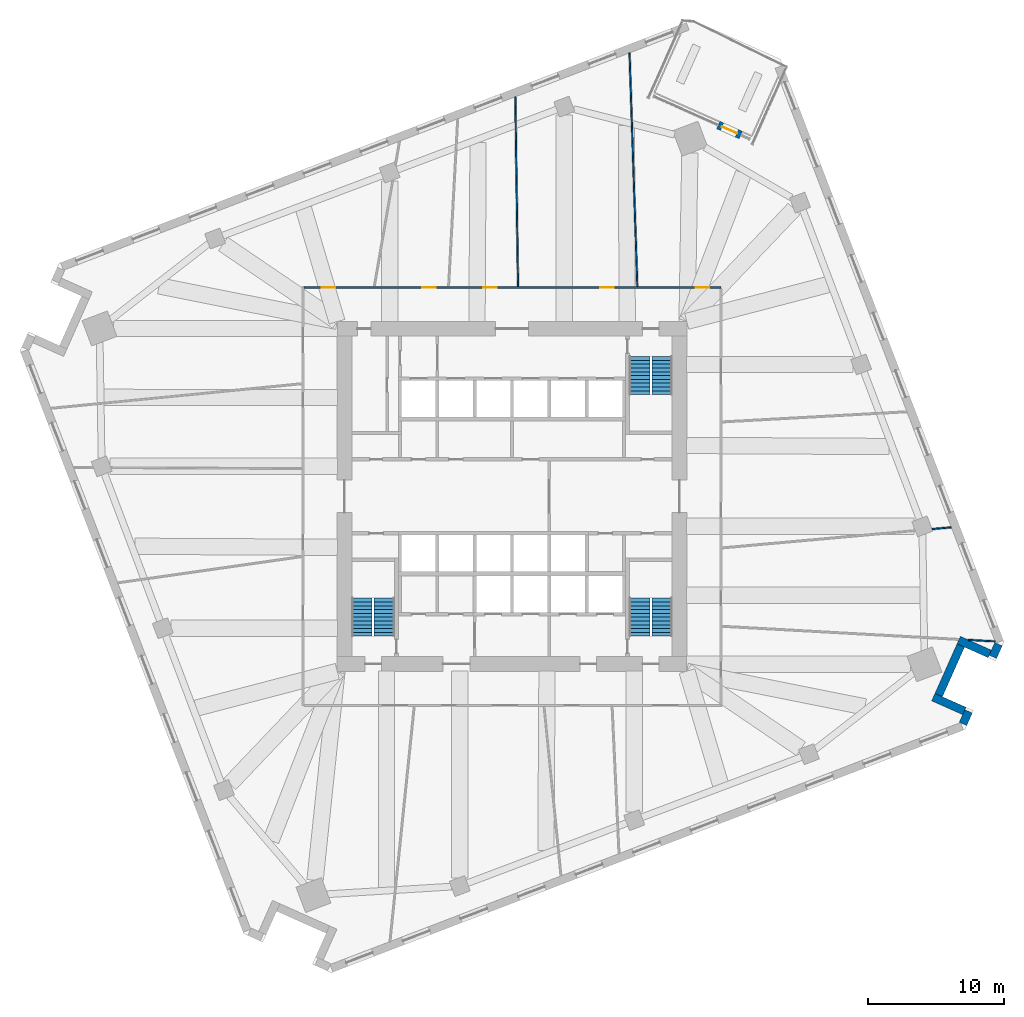
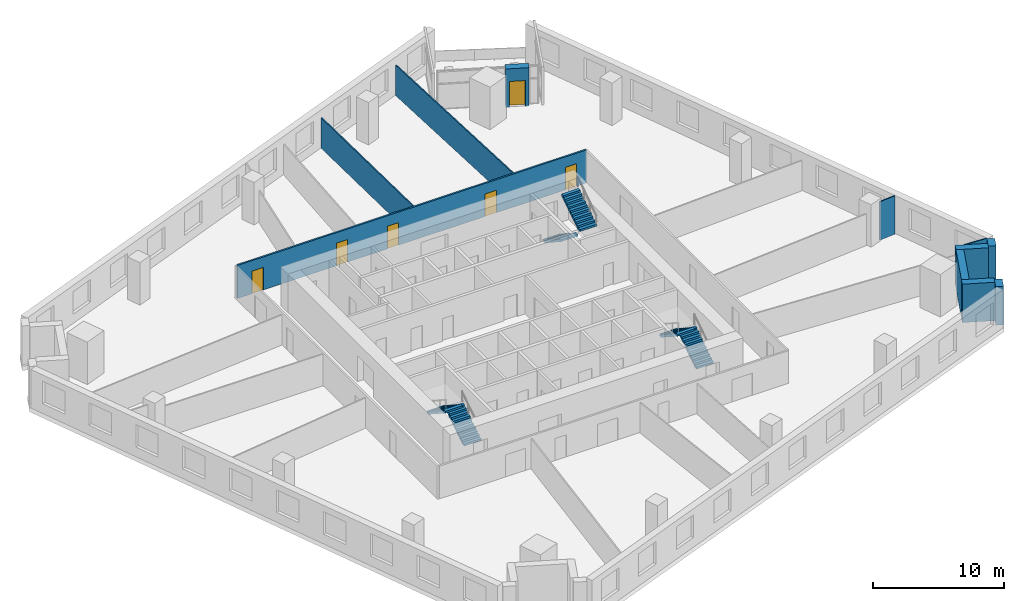
# One storey, part 12 of 14: 11 walls, 6 doors, 6 stair flights, 6 openings, 3 elements without a shape of their own.
"""IFC4 building model written with IfcOpenShell, lengths in metres."""

from ifc_helpers import new_model, si_unit, direction, frame, frame_2d, origin, place, context, subcontext, project, spatial, polyline, rectangle, outline, extrude, material, layer, layer_set, type_object, element, fill, aggregate, save


model = new_model("IFC4")

# Units and contexts
model_context = context("Model", 3, precision=1e-05, world=origin(), true_north=direction((0.0, 1.0)))
body_context = subcontext(model_context, "Body", "Model", "MODEL_VIEW")
ifc_project = project(units=[si_unit("LENGTHUNIT", "METRE"), si_unit("AREAUNIT", "SQUARE_METRE"), si_unit("VOLUMEUNIT", "CUBIC_METRE"), si_unit("PLANEANGLEUNIT", "RADIAN"), si_unit("MASSUNIT", "GRAM", prefix="KILO")], contexts=[model_context])

# Site, building, storey
site_placement = place(None, origin())
site = spatial("IfcSite", under=ifc_project, at=site_placement, CompositionType="ELEMENT")
building_placement = place(site_placement, origin())
building = spatial("IfcBuilding", under=site, at=building_placement, Name="Dilmun Exchange Tower", CompositionType="ELEMENT")
storey_placement = place(building_placement, frame((0.0, 0.0, 102.10009765625)))
storey = spatial("IfcBuildingStorey", under=building, at=storey_placement, Name="L23", CompositionType="ELEMENT", Elevation=102.10009765625)

# Wall, openings, doors
ifc_material_1 = material(Name="Corridor wall 150")
ifc_layer_1 = layer(ifc_material_1, 0.14990234375)
ifc_layer_set_1 = layer_set([ifc_layer_1], Name="Corridor wall 150")
wall_type_1 = type_object("IfcWallType", Name="Corridor wall 150", PredefinedType="PARTITIONING", material=ifc_layer_set_1)
wall_1_placement = place(storey_placement, frame((-15.324951171875, 15.39990234375, 0.0), z_axis=(0.0, 0.0, 1.0), x_axis=(1.0, 0.0, 0.0)))
wall_1 = element("IfcWall", 1, at=wall_1_placement, inside=storey, type_object=wall_type_1, Name="Corridor wall", PredefinedType="PARTITIONING", context=body_context, shape_type="SweptSolid", body=[
    extrude(rectangle(XDim=30.724853515625, YDim=0.14990234375, at=frame_2d((15.3623046875, 0.0))), origin(), (0.0, 0.0, 1.0), 3.079833984375),
])
opening_1_placement = place(wall_1_placement, frame((1.300048828125, 0.0, 0.0)))
opening_1 = element("IfcOpeningElement", 2, at=opening_1_placement, cuts=wall_1, Name="Opening TF23-D04", PredefinedType="OPENING", context=body_context, shape_type="SweptSolid", body=[
    extrude(rectangle(XDim=1.0, YDim=2.10009765625, at=frame_2d((0.5, 1.050048828125))), frame((0.0, 0.0849609375, 0.0), z_axis=(0.0, -1.0, 0.0), x_axis=(1.0, 0.0, 0.0)), (0.0, 0.0, 1.0), 0.169921875),
])
opening_2_placement = place(wall_1_placement, frame((8.717041015625, 0.0, 0.0)))
opening_2 = element("IfcOpeningElement", 3, at=opening_2_placement, cuts=wall_1, Name="Opening TF23-D07", PredefinedType="OPENING", context=body_context, shape_type="SweptSolid", body=[
    extrude(rectangle(XDim=1.0, YDim=2.10009765625, at=frame_2d((0.5, 1.050048828125))), frame((0.0, 0.0849609375, 0.0), z_axis=(0.0, -1.0, 0.0), x_axis=(1.0, 0.0, 0.0)), (0.0, 0.0, 1.0), 0.169921875),
])
opening_3_placement = place(wall_1_placement, frame((13.198486328125, 0.0, 0.0)))
opening_3 = element("IfcOpeningElement", 4, at=opening_3_placement, cuts=wall_1, Name="Opening TF23-D10", PredefinedType="OPENING", context=body_context, shape_type="SweptSolid", body=[
    extrude(rectangle(XDim=1.0, YDim=2.10009765625, at=frame_2d((0.5, 1.050048828125))), frame((0.0, 0.0849609375, 0.0), z_axis=(0.0, -1.0, 0.0), x_axis=(1.0, 0.0, 0.0)), (0.0, 0.0, 1.0), 0.169921875),
])
opening_4_placement = place(wall_1_placement, frame((21.818115234375, 0.0, 0.0)))
opening_4 = element("IfcOpeningElement", 5, at=opening_4_placement, cuts=wall_1, Name="Opening TF23-D11", PredefinedType="OPENING", context=body_context, shape_type="SweptSolid", body=[
    extrude(rectangle(XDim=1.0, YDim=2.10009765625, at=frame_2d((0.5, 1.050048828125))), frame((0.0, 0.0849609375, 0.0), z_axis=(0.0, -1.0, 0.0), x_axis=(1.0, 0.0, 0.0)), (0.0, 0.0, 1.0), 0.169921875),
])
opening_5_placement = place(wall_1_placement, frame((28.86083984375, 0.0, 0.0)))
opening_5 = element("IfcOpeningElement", 6, at=opening_5_placement, cuts=wall_1, Name="Opening TF23-D14", PredefinedType="OPENING", context=body_context, shape_type="SweptSolid", body=[
    extrude(rectangle(XDim=1.0, YDim=2.10009765625, at=frame_2d((0.5, 1.050048828125))), frame((0.0, 0.0849609375, 0.0), z_axis=(0.0, -1.0, 0.0), x_axis=(1.0, 0.0, 0.0)), (0.0, 0.0, 1.0), 0.169921875),
])
ifc_material_2 = material(Name="Fire door 1000 x 2100")
door_type_1 = type_object("IfcDoorType", Name="Fire door 1000 x 2100", OperationType="NOTDEFINED", PredefinedType="DOOR", material=ifc_material_2)
door_1_placement = place(opening_1_placement, origin())
door_1 = element("IfcDoor", 7, at=door_1_placement, inside=storey, type_object=door_type_1, Name="Door TF23-D04", OperationType="SINGLE_SWING_RIGHT", OverallHeight=2.10009765625, OverallWidth=1.0, PredefinedType="DOOR", context=body_context, shape_type="SweptSolid", body=[
    extrude(rectangle(XDim=1.0, YDim=2.10009765625, at=frame_2d((0.5, 1.050048828125))), frame((0.0, 0.02490234375, 0.0), z_axis=(0.0, -1.0, 0.0), x_axis=(1.0, 0.0, 0.0)), (0.0, 0.0, 1.0), 0.050048828125),
])
fill(opening_1, door_1)
door_2_placement = place(opening_2_placement, origin())
door_2 = element("IfcDoor", 8, at=door_2_placement, inside=storey, type_object=door_type_1, Name="Door TF23-D07", OperationType="SINGLE_SWING_LEFT", OverallHeight=2.10009765625, OverallWidth=1.0, PredefinedType="DOOR", context=body_context, shape_type="SweptSolid", body=[
    extrude(rectangle(XDim=1.0, YDim=2.10009765625, at=frame_2d((0.5, 1.050048828125))), frame((0.0, 0.02490234375, 0.0), z_axis=(0.0, -1.0, 0.0), x_axis=(1.0, 0.0, 0.0)), (0.0, 0.0, 1.0), 0.050048828125),
])
fill(opening_2, door_2)
door_3_placement = place(opening_3_placement, origin())
door_3 = element("IfcDoor", 9, at=door_3_placement, inside=storey, type_object=door_type_1, Name="Door TF23-D10", OperationType="SINGLE_SWING_LEFT", OverallHeight=2.10009765625, OverallWidth=1.0, PredefinedType="DOOR", context=body_context, shape_type="SweptSolid", body=[
    extrude(rectangle(XDim=1.0, YDim=2.10009765625, at=frame_2d((0.5, 1.050048828125))), frame((0.0, 0.02490234375, 0.0), z_axis=(0.0, -1.0, 0.0), x_axis=(1.0, 0.0, 0.0)), (0.0, 0.0, 1.0), 0.050048828125),
])
fill(opening_3, door_3)
door_4_placement = place(opening_4_placement, origin())
door_4 = element("IfcDoor", 10, at=door_4_placement, inside=storey, type_object=door_type_1, Name="Door TF23-D11", OperationType="SINGLE_SWING_LEFT", OverallHeight=2.10009765625, OverallWidth=1.0, PredefinedType="DOOR", context=body_context, shape_type="SweptSolid", body=[
    extrude(rectangle(XDim=1.0, YDim=2.10009765625, at=frame_2d((0.5, 1.050048828125))), frame((0.0, 0.02490234375, 0.0), z_axis=(0.0, -1.0, 0.0), x_axis=(1.0, 0.0, 0.0)), (0.0, 0.0, 1.0), 0.050048828125),
])
fill(opening_4, door_4)
door_5_placement = place(opening_5_placement, origin())
door_5 = element("IfcDoor", 11, at=door_5_placement, inside=storey, type_object=door_type_1, Name="Door TF23-D14", OperationType="SINGLE_SWING_LEFT", OverallHeight=2.10009765625, OverallWidth=1.0, PredefinedType="DOOR", context=body_context, shape_type="SweptSolid", body=[
    extrude(rectangle(XDim=1.0, YDim=2.10009765625, at=frame_2d((0.5, 1.050048828125))), frame((0.0, 0.02490234375, 0.0), z_axis=(0.0, -1.0, 0.0), x_axis=(1.0, 0.0, 0.0)), (0.0, 0.0, 1.0), 0.050048828125),
])
fill(opening_5, door_5)

# Walls
ifc_material_3 = material(Name="Partition 100")
ifc_layer_2 = layer(ifc_material_3, 0.10009765625)
ifc_layer_set_2 = layer_set([ifc_layer_2], Name="Partition 100")
wall_type_2 = type_object("IfcWallType", Name="Partition 100", PredefinedType="PARTITIONING", material=ifc_layer_set_2)
wall_2_placement = place(storey_placement, frame((0.244140625, 29.44091796875, 0.0), z_axis=(0.0, 0.0, 1.0), x_axis=(0.014228831068, -0.999898765059, 0.0)))
element("IfcWall", 12, at=wall_2_placement, inside=storey, type_object=wall_type_2, Name="Partition", PredefinedType="PARTITIONING", context=body_context, shape_type="SweptSolid", body=[
    extrude(rectangle(XDim=13.966796875, YDim=0.10009765625, at=frame_2d((6.9833984375, 0.0))), origin(), (0.0, 0.0, 1.0), 2.829833984375),
])
wall_3_placement = place(storey_placement, frame((8.658203125, 32.6708984375, 0.0), z_axis=(0.0, 0.0, 1.0), x_axis=(0.033491076988, -0.99943901653, 0.0)))
element("IfcWall", 13, at=wall_3_placement, inside=storey, type_object=wall_type_2, Name="Partition", PredefinedType="PARTITIONING", context=body_context, shape_type="SweptSolid", body=[
    extrude(rectangle(XDim=17.203857421875, YDim=0.10009765625, at=frame_2d((8.60205078125, 0.0))), origin(), (0.0, 0.0, 1.0), 2.829833984375),
])
wall_4_placement = place(storey_placement, frame((30.947265625, -2.408203125, 0.0), z_axis=(0.0, 0.0, 1.0), x_axis=(0.995999359609, 0.089360369615, 0.0)))
element("IfcWall", 14, at=wall_4_placement, inside=storey, type_object=wall_type_2, Name="Partition", PredefinedType="PARTITIONING", context=body_context, shape_type="SweptSolid", body=[
    extrude(rectangle(XDim=1.42333984375, YDim=0.10009765625, at=frame_2d((0.711669921875, 0.0))), origin(), (0.0, 0.0, 1.0), 3.579833984375),
])
wall_5_placement = place(storey_placement, frame((33.628173828125, -10.575927734375, 0.0), z_axis=(0.0, 0.0, 1.0), x_axis=(0.998471795395, -0.055263675243, 0.0)))
element("IfcWall", 15, at=wall_5_placement, inside=storey, type_object=wall_type_2, Name="Partition", PredefinedType="PARTITIONING", context=body_context, shape_type="SweptSolid", body=[
    extrude(rectangle(XDim=1.9658203125, YDim=0.10009765625, at=frame_2d((0.98291015625, 0.0))), origin(), (0.0, 0.0, 1.0), 3.579833984375),
])
ifc_material_4 = material(Name="Precast concrete C50/60", Category="concrete")
ifc_layer_3 = layer(ifc_material_4, 0.60009765625)
ifc_layer_set_3 = layer_set([ifc_layer_3], Name="Precast concrete C50/60")
wall_type_3 = type_object("IfcWallType", Name="Precast stone-clad wall 600", PredefinedType="STANDARD", material=ifc_layer_set_3)
wall_6_placement = place(storey_placement, frame((33.231689453125, -16.7626953125, 0.0), z_axis=(0.0, 0.0, 1.0), x_axis=(0.406877680738, 0.913482650583, 0.0)))
element("IfcWall", 16, at=wall_6_placement, inside=storey, type_object=wall_type_3, Name="Facade wall L23-16", PredefinedType="STANDARD", context=body_context, shape_type="SweptSolid", body=[
    extrude(rectangle(XDim=1.010986328125, YDim=0.60009765625, at=frame_2d((0.50537109375, 0.0))), origin(), (0.0, 0.0, 1.0), 3.579833984375),
])
wall_7_placement = place(storey_placement, frame((33.328125, -15.808349609375, 0.0), z_axis=(0.0, 0.0, 1.0), x_axis=(-0.913533450149, 0.406763611276, 0.0)))
element("IfcWall", 17, at=wall_7_placement, inside=storey, type_object=wall_type_3, Name="Facade wall L23-17", PredefinedType="STANDARD", context=body_context, shape_type="SweptSolid", body=[
    extrude(rectangle(XDim=2.499755859375, YDim=0.60009765625, at=frame_2d((1.25, 0.0))), origin(), (0.0, 0.0, 1.0), 3.579833984375),
])
wall_8_placement = place(storey_placement, frame((31.4404296875, -14.639404296875, 0.0), z_axis=(0.0, 0.0, 1.0), x_axis=(0.406727323635, 0.913549606868, 0.0)))
element("IfcWall", 18, at=wall_8_placement, inside=storey, type_object=wall_type_3, Name="Facade wall L23-18", PredefinedType="STANDARD", context=body_context, shape_type="SweptSolid", body=[
    extrude(rectangle(XDim=4.0, YDim=0.60009765625, at=frame_2d((2.0, 0.0))), origin(), (0.0, 0.0, 1.0), 3.579833984375),
])
wall_9_placement = place(storey_placement, frame((32.915283203125, -10.589111328125, 0.0), z_axis=(0.0, 0.0, 1.0), x_axis=(0.913549606868, -0.406727323635, 0.0)))
element("IfcWall", 19, at=wall_9_placement, inside=storey, type_object=wall_type_3, Name="Facade wall L23-19", PredefinedType="STANDARD", context=body_context, shape_type="SweptSolid", body=[
    extrude(rectangle(XDim=2.5, YDim=0.60009765625, at=frame_2d((1.25, 0.0))), origin(), (0.0, 0.0, 1.0), 3.579833984375),
])
wall_10_placement = place(storey_placement, frame((35.4326171875, -11.8193359375, 0.0), z_axis=(0.0, 0.0, 1.0), x_axis=(0.406787949875, 0.913522612657, 0.0)))
element("IfcWall", 20, at=wall_10_placement, inside=storey, type_object=wall_type_3, Name="Facade wall L23-20", PredefinedType="STANDARD", context=body_context, shape_type="SweptSolid", body=[
    extrude(rectangle(XDim=1.01123046875, YDim=0.60009765625, at=frame_2d((0.505615234375, 0.0))), origin(), (0.0, 0.0, 1.0), 3.579833984375),
])

# Wall, opening, door
wall_11_placement = place(storey_placement, frame((16.850341796875, 26.625, 0.0), z_axis=(0.0, 0.0, 1.0), x_axis=(-0.913598891005, 0.406616608556, 0.0)))
wall_11 = element("IfcWall", 21, at=wall_11_placement, inside=storey, type_object=wall_type_3, Name="Facade wall L23-01-D", PredefinedType="STANDARD", context=body_context, shape_type="SweptSolid", body=[
    extrude(rectangle(XDim=1.800048828125, YDim=0.60009765625, at=frame_2d((0.89990234375, 0.0))), origin(), (0.0, 0.0, 1.0), 3.579833984375),
])
opening_6_placement = place(wall_11_placement, frame((0.300048828125, 0.0, 0.0)))
opening_6 = element("IfcOpeningElement", 22, at=opening_6_placement, cuts=wall_11, Name="Opening GD-1", PredefinedType="OPENING", context=body_context, shape_type="SweptSolid", body=[
    extrude(rectangle(XDim=1.199951171875, YDim=2.39990234375, at=frame_2d((0.60009765625, 1.199951171875))), frame((0.0, 0.31005859375, 0.0), z_axis=(0.0, -1.0, 0.0), x_axis=(1.0, 0.0, 0.0)), (0.0, 0.0, 1.0), 0.6201171875),
])
ifc_material_5 = material(Name="Clear low-emissivity glass in aluminium frame", Category="aluminium")
door_type_2 = type_object("IfcDoorType", Name="Glazed garden door 1200 x 2400", OperationType="SINGLE_SWING_LEFT", PredefinedType="DOOR", material=ifc_material_5)
door_6_placement = place(opening_6_placement, origin())
door_6 = element("IfcDoor", 23, at=door_6_placement, inside=storey, type_object=door_type_2, Name="Garden terrace door", OperationType="SINGLE_SWING_LEFT", OverallHeight=2.39990234375, OverallWidth=1.199951171875, PredefinedType="DOOR", context=body_context, shape_type="SweptSolid", body=[
    extrude(rectangle(XDim=1.199951171875, YDim=2.39990234375, at=frame_2d((0.60009765625, 1.199951171875))), frame((0.0, 0.02490234375, 0.0), z_axis=(0.0, -1.0, 0.0), x_axis=(1.0, 0.0, 0.0)), (0.0, 0.0, 1.0), 0.050048828125),
])
fill(opening_6, door_6)

# Stair, stair flights
ifc_material_6 = material(Name="Concrete C40/50", Category="concrete")
stair_type = type_object("IfcStairType", Name="Exit stair 1500 half-turn", PredefinedType="HALF_TURN_STAIR", material=ifc_material_6)
stair_1_placement = place(storey_placement, origin())
stair_1 = element("IfcStair", 24, at=stair_1_placement, inside=storey, type_object=stair_type, Name="L23 Protected exit stair ST1", PredefinedType="HALF_TURN_STAIR")
stair_flight_type = type_object("IfcStairFlightType", Name="Exit stair flight 1500", PredefinedType="STRAIGHT", material=ifc_material_6)
stair_flight_1_placement = place(storey_placement, frame((9.39990234375, 10.300048828125, 0.0), z_axis=(0.0, 0.0, 1.0), x_axis=(0.0, -1.0, 0.0)))
stair_flight_1 = element("IfcStairFlight", 25, at=stair_flight_1_placement, type_object=stair_flight_type, Name="ST1 flight 1", NumberOfRisers=11, NumberOfTreads=10, PredefinedType="STRAIGHT", RiserHeight=0.181818182, TreadLength=0.28, context=body_context, shape_type="SweptSolid", body=[
    extrude(outline(polyline([(0.0, 0.0), (0.0, 0.181884765625), (0.280029296875, 0.181884765625), (0.280029296875, 0.363525390625), (0.56005859375, 0.363525390625), (0.56005859375, 0.54541015625), (0.840087890625, 0.54541015625), (0.840087890625, 0.727294921875), (1.1201171875, 0.727294921875), (1.1201171875, 0.9091796875), (1.39990234375, 0.9091796875), (1.39990234375, 1.0908203125), (1.679931640625, 1.0908203125), (1.679931640625, 1.272705078125), (1.9599609375, 1.272705078125), (1.9599609375, 1.45458984375), (2.239990234375, 1.45458984375), (2.239990234375, 1.636474609375), (2.52001953125, 1.636474609375), (2.52001953125, 1.818115234375), (2.800048828125, 1.818115234375), (2.800048828125, 2.0), (2.800048828125, 1.639404296875), (0.275146484375, 0.0), (0.0, 0.0)])), frame((0.0, 0.75, 0.0), z_axis=(0.0, -1.0, 0.0), x_axis=(1.0, 0.0, 0.0)), (0.0, 0.0, 1.0), 1.5),
])
stair_flight_2_placement = place(storey_placement, frame((11.050048828125, 7.5, 2.0), z_axis=(0.0, 0.0, 1.0), x_axis=(0.0, 1.0, 0.0)))
stair_flight_2 = element("IfcStairFlight", 26, at=stair_flight_2_placement, type_object=stair_flight_type, Name="ST1 flight 2", NumberOfRisers=11, NumberOfTreads=10, PredefinedType="STRAIGHT", RiserHeight=0.181818182, TreadLength=0.28, context=body_context, shape_type="SweptSolid", body=[
    extrude(outline(polyline([(0.0, 0.0), (0.0, 0.181884765625), (0.280029296875, 0.181884765625), (0.280029296875, 0.363525390625), (0.56005859375, 0.363525390625), (0.56005859375, 0.54541015625), (0.840087890625, 0.54541015625), (0.840087890625, 0.727294921875), (1.1201171875, 0.727294921875), (1.1201171875, 0.9091796875), (1.39990234375, 0.9091796875), (1.39990234375, 1.0908203125), (1.679931640625, 1.0908203125), (1.679931640625, 1.272705078125), (1.9599609375, 1.272705078125), (1.9599609375, 1.45458984375), (2.239990234375, 1.45458984375), (2.239990234375, 1.636474609375), (2.52001953125, 1.636474609375), (2.52001953125, 1.818115234375), (2.800048828125, 1.818115234375), (2.800048828125, 2.0), (2.800048828125, 1.639404296875), (0.275146484375, 0.0), (0.0, 0.0)])), frame((0.0, 0.75, 0.0), z_axis=(0.0, -1.0, 0.0), x_axis=(1.0, 0.0, 0.0)), (0.0, 0.0, 1.0), 1.5),
])
aggregate(stair_1, [stair_flight_1, stair_flight_2])

stair_2_placement = place(storey_placement, origin())
stair_2 = element("IfcStair", 27, at=stair_2_placement, inside=storey, type_object=stair_type, Name="L23 Protected exit stair ST2", PredefinedType="HALF_TURN_STAIR")
stair_flight_3_placement = place(storey_placement, frame((-9.39990234375, -10.300048828125, 0.0), z_axis=(0.0, 0.0, 1.0), x_axis=(0.0, 1.0, 0.0)))
stair_flight_3 = element("IfcStairFlight", 28, at=stair_flight_3_placement, type_object=stair_flight_type, Name="ST2 flight 1", NumberOfRisers=11, NumberOfTreads=10, PredefinedType="STRAIGHT", RiserHeight=0.181818182, TreadLength=0.28, context=body_context, shape_type="SweptSolid", body=[
    extrude(outline(polyline([(0.0, 0.0), (0.0, 0.181884765625), (0.280029296875, 0.181884765625), (0.280029296875, 0.363525390625), (0.56005859375, 0.363525390625), (0.56005859375, 0.54541015625), (0.840087890625, 0.54541015625), (0.840087890625, 0.727294921875), (1.1201171875, 0.727294921875), (1.1201171875, 0.9091796875), (1.39990234375, 0.9091796875), (1.39990234375, 1.0908203125), (1.679931640625, 1.0908203125), (1.679931640625, 1.272705078125), (1.9599609375, 1.272705078125), (1.9599609375, 1.45458984375), (2.239990234375, 1.45458984375), (2.239990234375, 1.636474609375), (2.52001953125, 1.636474609375), (2.52001953125, 1.818115234375), (2.800048828125, 1.818115234375), (2.800048828125, 2.0), (2.800048828125, 1.639404296875), (0.275146484375, 0.0), (0.0, 0.0)])), frame((0.0, 0.75, 0.0), z_axis=(0.0, -1.0, 0.0), x_axis=(1.0, 0.0, 0.0)), (0.0, 0.0, 1.0), 1.5),
])
stair_flight_4_placement = place(storey_placement, frame((-11.050048828125, -7.5, 2.0), z_axis=(0.0, 0.0, 1.0), x_axis=(0.0, -1.0, 0.0)))
stair_flight_4 = element("IfcStairFlight", 29, at=stair_flight_4_placement, type_object=stair_flight_type, Name="ST2 flight 2", NumberOfRisers=11, NumberOfTreads=10, PredefinedType="STRAIGHT", RiserHeight=0.181818182, TreadLength=0.28, context=body_context, shape_type="SweptSolid", body=[
    extrude(outline(polyline([(0.0, 0.0), (0.0, 0.181884765625), (0.280029296875, 0.181884765625), (0.280029296875, 0.363525390625), (0.56005859375, 0.363525390625), (0.56005859375, 0.54541015625), (0.840087890625, 0.54541015625), (0.840087890625, 0.727294921875), (1.1201171875, 0.727294921875), (1.1201171875, 0.9091796875), (1.39990234375, 0.9091796875), (1.39990234375, 1.0908203125), (1.679931640625, 1.0908203125), (1.679931640625, 1.272705078125), (1.9599609375, 1.272705078125), (1.9599609375, 1.45458984375), (2.239990234375, 1.45458984375), (2.239990234375, 1.636474609375), (2.52001953125, 1.636474609375), (2.52001953125, 1.818115234375), (2.800048828125, 1.818115234375), (2.800048828125, 2.0), (2.800048828125, 1.639404296875), (0.275146484375, 0.0), (0.0, 0.0)])), frame((0.0, 0.75, 0.0), z_axis=(0.0, -1.0, 0.0), x_axis=(1.0, 0.0, 0.0)), (0.0, 0.0, 1.0), 1.5),
])
aggregate(stair_2, [stair_flight_3, stair_flight_4])

stair_3_placement = place(storey_placement, origin())
stair_3 = element("IfcStair", 30, at=stair_3_placement, inside=storey, type_object=stair_type, Name="L23 Protected exit stair ST3", PredefinedType="HALF_TURN_STAIR")
stair_flight_5_placement = place(storey_placement, frame((11.050048828125, -10.300048828125, 0.0), z_axis=(0.0, 0.0, 1.0), x_axis=(0.0, 1.0, 0.0)))
stair_flight_5 = element("IfcStairFlight", 31, at=stair_flight_5_placement, type_object=stair_flight_type, Name="ST3 flight 1", NumberOfRisers=11, NumberOfTreads=10, PredefinedType="STRAIGHT", RiserHeight=0.181818182, TreadLength=0.28, context=body_context, shape_type="SweptSolid", body=[
    extrude(outline(polyline([(0.0, 0.0), (0.0, 0.181884765625), (0.280029296875, 0.181884765625), (0.280029296875, 0.363525390625), (0.56005859375, 0.363525390625), (0.56005859375, 0.54541015625), (0.840087890625, 0.54541015625), (0.840087890625, 0.727294921875), (1.1201171875, 0.727294921875), (1.1201171875, 0.9091796875), (1.39990234375, 0.9091796875), (1.39990234375, 1.0908203125), (1.679931640625, 1.0908203125), (1.679931640625, 1.272705078125), (1.9599609375, 1.272705078125), (1.9599609375, 1.45458984375), (2.239990234375, 1.45458984375), (2.239990234375, 1.636474609375), (2.52001953125, 1.636474609375), (2.52001953125, 1.818115234375), (2.800048828125, 1.818115234375), (2.800048828125, 2.0), (2.800048828125, 1.639404296875), (0.275146484375, 0.0), (0.0, 0.0)])), frame((0.0, 0.75, 0.0), z_axis=(0.0, -1.0, 0.0), x_axis=(1.0, 0.0, 0.0)), (0.0, 0.0, 1.0), 1.5),
])
stair_flight_6_placement = place(storey_placement, frame((9.39990234375, -7.5, 2.0), z_axis=(0.0, 0.0, 1.0), x_axis=(0.0, -1.0, 0.0)))
stair_flight_6 = element("IfcStairFlight", 32, at=stair_flight_6_placement, type_object=stair_flight_type, Name="ST3 flight 2", NumberOfRisers=11, NumberOfTreads=10, PredefinedType="STRAIGHT", RiserHeight=0.181818182, TreadLength=0.28, context=body_context, shape_type="SweptSolid", body=[
    extrude(outline(polyline([(0.0, 0.0), (0.0, 0.181884765625), (0.280029296875, 0.181884765625), (0.280029296875, 0.363525390625), (0.56005859375, 0.363525390625), (0.56005859375, 0.54541015625), (0.840087890625, 0.54541015625), (0.840087890625, 0.727294921875), (1.1201171875, 0.727294921875), (1.1201171875, 0.9091796875), (1.39990234375, 0.9091796875), (1.39990234375, 1.0908203125), (1.679931640625, 1.0908203125), (1.679931640625, 1.272705078125), (1.9599609375, 1.272705078125), (1.9599609375, 1.45458984375), (2.239990234375, 1.45458984375), (2.239990234375, 1.636474609375), (2.52001953125, 1.636474609375), (2.52001953125, 1.818115234375), (2.800048828125, 1.818115234375), (2.800048828125, 2.0), (2.800048828125, 1.639404296875), (0.275146484375, 0.0), (0.0, 0.0)])), frame((0.0, 0.75, 0.0), z_axis=(0.0, -1.0, 0.0), x_axis=(1.0, 0.0, 0.0)), (0.0, 0.0, 1.0), 1.5),
])
aggregate(stair_3, [stair_flight_5, stair_flight_6])

save(model, "model.ifc")
